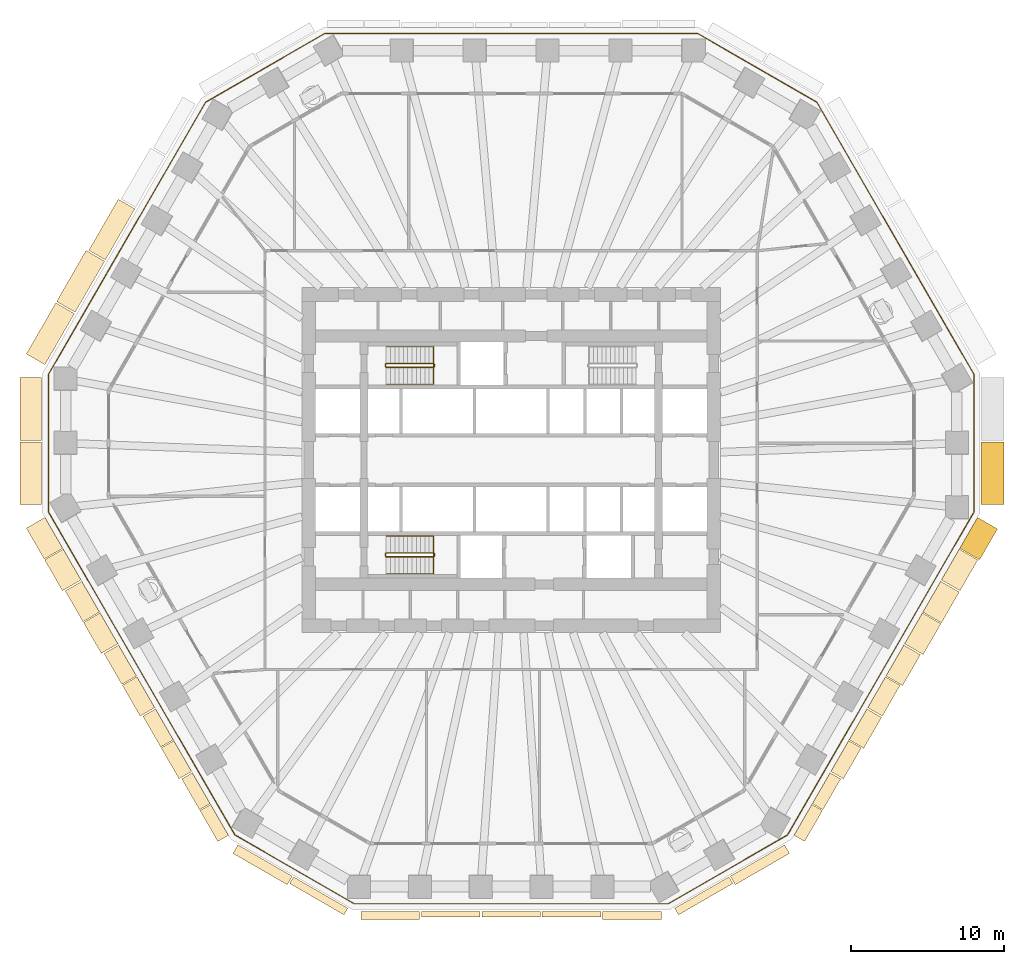
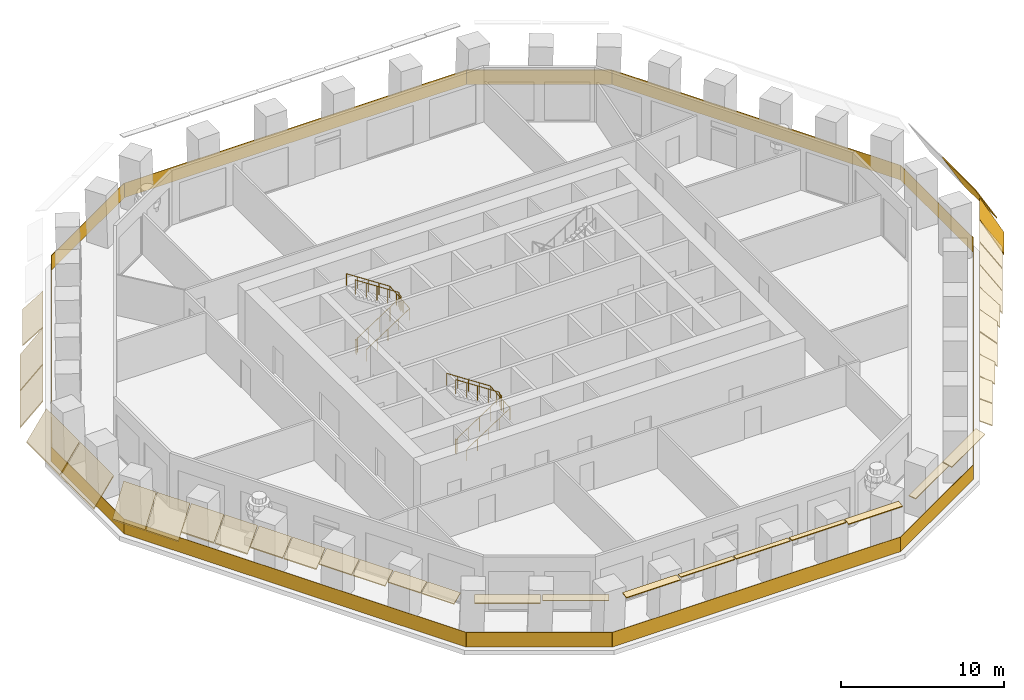
# One storey, part 9 of 12: 35 coverings, 5 railings.
"""IFC4 building model written with IfcOpenShell, lengths in metres."""

from ifc_helpers import new_model, si_unit, direction, frame, origin, origin_2d, place, context, subcontext, project, spatial, polyline, rectangle, circle, outline, extrude, material, layer, layer_set, type_object, element, save


model = new_model("IFC4")

# Units and contexts
model_context = context("Model", 3, precision=1e-05, world=origin(), true_north=direction((0.0, 1.0)))
body_context = subcontext(model_context, "Body", "Model", "MODEL_VIEW")
ifc_project = project(units=[si_unit("LENGTHUNIT", "METRE"), si_unit("AREAUNIT", "SQUARE_METRE"), si_unit("VOLUMEUNIT", "CUBIC_METRE"), si_unit("PLANEANGLEUNIT", "RADIAN"), si_unit("MASSUNIT", "GRAM", prefix="KILO")], contexts=[model_context])

# Site, building, storey
site_placement = place(None, origin())
site = spatial("IfcSite", under=ifc_project, at=site_placement, CompositionType="ELEMENT")
building_placement = place(site_placement, origin())
building = spatial("IfcBuilding", under=site, at=building_placement, Name="Frailejon Research Tower", CompositionType="ELEMENT")
storey_placement = place(building_placement, frame((0.0, 0.0, 49.800048828125)))
storey = spatial("IfcBuildingStorey", under=building, at=storey_placement, Name="L11", CompositionType="ELEMENT", Elevation=49.800048828125)

# Coverings
ifc_material_1 = material(Name="Precast concrete C50/60", Category="concrete")
ifc_layer_1 = layer(ifc_material_1, 0.06005859375)
ifc_layer_set_1 = layer_set([ifc_layer_1], Name="Brim blade depth 1100")
covering_type_1 = type_object("IfcCoveringType", Name="Brim blade depth 1100", PredefinedType="CLADDING", material=ifc_layer_set_1)
for number, where, z_axis, x_axis, name in (
    (1, (-24.43701171875, -14.073974609375, 4.25), (-0.500000983108, 0.866024836186, 0.0), (-0.866024836186, -0.500000983108, 0.0), "Brim blade L11"),
    (2, (-23.2451171875, -16.13818359375, 4.25), (-0.500000983108, 0.866024836186, 0.0), (-0.866024836186, -0.500000983108, 0.0), "Brim blade L11"),
    (3, (23.1953125, -16.224609375, 4.25), (-0.500009991174, -0.866019635301, 0.0), (0.866019635301, -0.500009991174, 0.0), "Brim blade L11"),
    (4, (24.406982421875, -14.1259765625, 4.25), (-0.500000983108, -0.866024836186, 0.0), (0.866024836186, -0.500000983108, 0.0), "Brim blade L11"),
):
    element("IfcCovering", number, at=place(storey_placement, frame(where, z_axis=z_axis, x_axis=x_axis)), inside=storey, type_object=covering_type_1, Name=name, PredefinedType="CLADDING", context=body_context, shape_type="SweptSolid", body=[
        extrude(outline(polyline([(0.0, -0.078369140625), (1.10009765625, -1.001220703125), (1.10009765625, -0.923095703125), (0.0, 0.0), (0.0, -0.078369140625)])), origin(), (0.0, 0.0, 1.0), 2.323486328125),
    ])
ifc_material_2 = material(Name="Precast concrete C50/60", Category="concrete")
ifc_layer_2 = layer(ifc_material_2, 0.06005859375)
ifc_layer_set_2 = layer_set([ifc_layer_2], Name="Brim blade depth 1250")
covering_type_2 = type_object("IfcCoveringType", Name="Brim blade depth 1250", PredefinedType="CLADDING", material=ifc_layer_set_2)
covering_1_placement = place(storey_placement, frame((-26.460693359375, 13.0576171875, 4.25), z_axis=(0.500002613071, 0.866023895122, 0.0), x_axis=(-0.866023895122, 0.500002613071, 0.0)))
element("IfcCovering", 5, at=covering_1_placement, inside=storey, type_object=covering_type_2, Name="Brim blade L11", PredefinedType="CLADDING", context=body_context, shape_type="SweptSolid", body=[
    extrude(outline(polyline([(0.0, -0.0888671875), (1.25, -1.452880859375), (1.25, -1.364013671875), (0.0, 0.0), (0.0, -0.0888671875)])), origin(), (0.0, 0.0, 1.0), 3.844482421875),
])
for number, where, z_axis, x_axis, name in (
    (6, (-26.84033203125, -9.911376953125, 4.25), (-0.499994387935, 0.866028643887, 0.0), (-0.866028643887, -0.499994387935, 0.0), "Brim blade L11"),
    (7, (-25.648681640625, -11.975341796875, 4.25), (-0.499994387935, 0.866028643887, 0.0), (-0.866028643887, -0.499994387935, 0.0), "Brim blade L11"),
):
    element("IfcCovering", number, at=place(storey_placement, frame(where, z_axis=z_axis, x_axis=x_axis)), inside=storey, type_object=covering_type_2, Name=name, PredefinedType="CLADDING", context=body_context, shape_type="SweptSolid", body=[
        extrude(outline(polyline([(0.0, -0.0888671875), (1.25, -1.452880859375), (1.25, -1.364013671875), (0.0, 0.0), (0.0, -0.0888671875)])), origin(), (0.0, 0.0, 1.0), 2.3232421875),
    ])
covering_2_placement = place(storey_placement, frame((25.5986328125, -12.06201171875, 4.25), z_axis=(-0.500000983108, -0.866024836186, 0.0), x_axis=(0.866024836186, -0.500000983108, 0.0)))
element("IfcCovering", 8, at=covering_2_placement, inside=storey, type_object=covering_type_2, Name="Brim blade L11", PredefinedType="CLADDING", context=body_context, shape_type="SweptSolid", body=[
    extrude(outline(polyline([(0.0, -0.0888671875), (1.25, -1.452880859375), (1.25, -1.364013671875), (0.0, 0.0), (0.0, -0.0888671875)])), origin(), (0.0, 0.0, 1.0), 2.323486328125),
])
ifc_material_3 = material(Name="Precast concrete C50/60", Category="concrete")
ifc_layer_3 = layer(ifc_material_3, 0.06005859375)
ifc_layer_set_3 = layer_set([ifc_layer_3], Name="Brim blade depth 1400")
covering_type_3 = type_object("IfcCoveringType", Name="Brim blade depth 1400", PredefinedType="CLADDING", material=ifc_layer_set_3)
for number, where, z_axis, x_axis, name in (
    (9, (-28.43310546875, 9.641357421875, 4.25), (0.499983600053, 0.866034872091, 0.0), (-0.866034872091, 0.499983600053, 0.0), "Brim blade L11"),
    (10, (-30.4052734375, 6.225341796875, 4.25), (0.500002613071, 0.866023895122, 0.0), (-0.866023895122, 0.500002613071, 0.0), "Brim blade L11"),
):
    element("IfcCovering", number, at=place(storey_placement, frame(where, z_axis=z_axis, x_axis=x_axis)), inside=storey, type_object=covering_type_3, Name=name, PredefinedType="CLADDING", context=body_context, shape_type="SweptSolid", body=[
        extrude(outline(polyline([(0.0, -0.1044921875), (1.39990234375, -2.10400390625), (1.39990234375, -1.99951171875), (0.0, 0.0), (0.0, -0.1044921875)])), origin(), (0.0, 0.0, 1.0), 3.844482421875),
    ])
covering_3_placement = place(storey_placement, frame((-30.63134765625, 1.29443359375, 4.25), z_axis=(0.0, 1.0, 0.0), x_axis=(-1.0, 0.0, 0.0)))
element("IfcCovering", 11, at=covering_3_placement, inside=storey, type_object=covering_type_3, Name="Brim blade L11", PredefinedType="CLADDING", context=body_context, shape_type="SweptSolid", body=[
    extrude(outline(polyline([(0.0, -0.1044921875), (1.39990234375, -2.10400390625), (1.39990234375, -1.99951171875), (0.0, 0.0), (0.0, -0.1044921875)])), origin(), (0.0, 0.0, 1.0), 4.08740234375),
])
covering_4_placement = place(storey_placement, frame((-30.63134765625, -2.89306640625, 4.25), z_axis=(0.0, 1.0, 0.0), x_axis=(-1.0, 0.0, 0.0)))
element("IfcCovering", 12, at=covering_4_placement, inside=storey, type_object=covering_type_3, Name="Brim blade L11", PredefinedType="CLADDING", context=body_context, shape_type="SweptSolid", body=[
    extrude(outline(polyline([(0.0, -0.1044921875), (1.39990234375, -2.10400390625), (1.39990234375, -1.99951171875), (0.0, 0.0), (0.0, -0.1044921875)])), origin(), (0.0, 0.0, 1.0), 4.087646484375),
])
for number, where, z_axis, x_axis, name in (
    (13, (-29.24365234375, -5.74853515625, 4.25), (-0.500000983108, 0.866024836186, 0.0), (-0.866024836186, -0.500000983108, 0.0), "Brim blade L11"),
    (14, (-28.052001953125, -7.8125, 4.25), (-0.500000983108, 0.866024836186, 0.0), (-0.866024836186, -0.500000983108, 0.0), "Brim blade L11"),
):
    element("IfcCovering", number, at=place(storey_placement, frame(where, z_axis=z_axis, x_axis=x_axis)), inside=storey, type_object=covering_type_3, Name=name, PredefinedType="CLADDING", context=body_context, shape_type="SweptSolid", body=[
        extrude(outline(polyline([(0.0, -0.1044921875), (1.39990234375, -2.10400390625), (1.39990234375, -1.99951171875), (0.0, 0.0), (0.0, -0.1044921875)])), origin(), (0.0, 0.0, 1.0), 2.323486328125),
    ])
for number, where, z_axis, x_axis, name in (
    (15, (26.810302734375, -9.963134765625, 4.25), (-0.499994387935, -0.866028643887, 0.0), (0.866028643887, -0.499994387935, 0.0), "Brim blade L11"),
    (16, (28.001953125, -7.899169921875, 4.25), (-0.499994387935, -0.866028643887, 0.0), (0.866028643887, -0.499994387935, 0.0), "Brim blade L11"),
):
    element("IfcCovering", number, at=place(storey_placement, frame(where, z_axis=z_axis, x_axis=x_axis)), inside=storey, type_object=covering_type_3, Name=name, PredefinedType="CLADDING", context=body_context, shape_type="SweptSolid", body=[
        extrude(outline(polyline([(0.0, -0.1044921875), (1.39990234375, -2.10400390625), (1.39990234375, -1.99951171875), (0.0, 0.0), (0.0, -0.1044921875)])), origin(), (0.0, 0.0, 1.0), 2.3232421875),
    ])
covering_5_placement = place(storey_placement, frame((29.213623046875, -5.800537109375, 4.25), z_axis=(-0.500000983108, -0.866024836186, 0.0), x_axis=(0.866024836186, -0.500000983108, 0.0)))
element("IfcCovering", 17, at=covering_5_placement, inside=storey, type_object=covering_type_3, Name="Brim blade L11", PredefinedType="CLADDING", context=body_context, shape_type="SweptSolid", body=[
    extrude(outline(polyline([(0.0, -0.1044921875), (1.39990234375, -2.10400390625), (1.39990234375, -1.99951171875), (0.0, 0.0), (0.0, -0.1044921875)])), origin(), (0.0, 0.0, 1.0), 2.323486328125),
])
ifc_material_4 = material(Name="Precast concrete C50/60", Category="concrete")
ifc_layer_4 = layer(ifc_material_4, 0.06005859375)
ifc_layer_set_4 = layer_set([ifc_layer_4], Name="Brim blade depth 1500")
covering_type_4 = type_object("IfcCoveringType", Name="Brim blade depth 1500", PredefinedType="CLADDING", material=ifc_layer_set_4)
covering_6_placement = place(storey_placement, frame((30.63134765625, 1.194580078125, 4.25), z_axis=(0.0, -1.0, 0.0), x_axis=(1.0, 0.0, 0.0)))
element("IfcCovering", 18, at=covering_6_placement, inside=storey, type_object=covering_type_4, Name="Brim blade L11", PredefinedType="CLADDING", context=body_context, shape_type="SweptSolid", body=[
    extrude(outline(polyline([(0.0, -0.1201171875), (1.5, -2.718017578125), (1.5, -2.59814453125), (0.0, 0.0), (0.0, -0.1201171875)])), origin(), (0.0, 0.0, 1.0), 4.087646484375),
])
covering_7_placement = place(storey_placement, frame((30.4052734375, -3.736328125, 4.25), z_axis=(-0.500000983108, -0.866024836186, 0.0), x_axis=(0.866024836186, -0.500000983108, 0.0)))
element("IfcCovering", 19, at=covering_7_placement, inside=storey, type_object=covering_type_4, Name="Brim blade L11", PredefinedType="CLADDING", context=body_context, shape_type="SweptSolid", body=[
    extrude(outline(polyline([(0.0, -0.1201171875), (1.5, -2.718017578125), (1.5, -2.59814453125), (0.0, 0.0), (0.0, -0.1201171875)])), origin(), (0.0, 0.0, 1.0), 2.323486328125),
])
ifc_material_5 = material(Name="Precast concrete C50/60", Category="concrete")
ifc_layer_5 = layer(ifc_material_5, 0.06005859375)
ifc_layer_set_5 = layer_set([ifc_layer_5], Name="Brim blade depth 350")
covering_type_5 = type_object("IfcCoveringType", Name="Brim blade depth 350", PredefinedType="CLADDING", material=ifc_layer_set_5)
for number, where, z_axis, x_axis, name in (
    (20, (-2.022216796875, -29.444580078125, 4.25), (-1.0, 0.0, 0.0), (0.0, -1.0, 0.0), "Brim blade L11"),
    (21, (1.92236328125, -29.444580078125, 4.25), (-1.0, 0.0, 0.0), (0.0, -1.0, 0.0), "Brim blade L11"),
    (22, (5.86669921875, -29.444580078125, 4.25), (-1.0, 0.0, 0.0), (0.0, -1.0, 0.0), "Brim blade L11"),
):
    element("IfcCovering", number, at=place(storey_placement, frame(where, z_axis=z_axis, x_axis=x_axis)), inside=storey, type_object=covering_type_5, Name=name, PredefinedType="CLADDING", context=body_context, shape_type="SweptSolid", body=[
        extrude(outline(polyline([(0.0, -0.06005859375), (0.35009765625, -0.06005859375), (0.35009765625, 0.0), (0.0, 0.0), (0.0, -0.06005859375)])), origin(), (0.0, 0.0, 1.0), 3.844482421875),
    ])
ifc_material_6 = material(Name="Precast concrete C50/60", Category="concrete")
ifc_layer_6 = layer(ifc_material_6, 0.06005859375)
ifc_layer_set_6 = layer_set([ifc_layer_6], Name="Brim blade depth 500")
covering_type_6 = type_object("IfcCoveringType", Name="Brim blade depth 500", PredefinedType="CLADDING", material=ifc_layer_set_6)
covering_8_placement = place(storey_placement, frame((-10.65478515625, -29.218505859375, 4.25), z_axis=(-0.866021344981, 0.500007029989, 0.0), x_axis=(-0.500007029989, -0.866021344981, 0.0)))
element("IfcCovering", 23, at=covering_8_placement, inside=storey, type_object=covering_type_6, Name="Brim blade L11", PredefinedType="CLADDING", context=body_context, shape_type="SweptSolid", body=[
    extrude(outline(polyline([(0.0, -0.060546875), (0.5, -0.130859375), (0.5, -0.0703125), (0.0, 0.0), (0.0, -0.060546875)])), origin(), (0.0, 0.0, 1.0), 4.08740234375),
])
for number, where, z_axis, x_axis, name in (
    (24, (-5.966796875, -29.444580078125, 4.25), (-1.0, 0.0, 0.0), (0.0, -1.0, 0.0), "Brim blade L11"),
    (25, (9.811279296875, -29.444580078125, 4.25), (-1.0, 0.0, 0.0), (0.0, -1.0, 0.0), "Brim blade L11"),
):
    element("IfcCovering", number, at=place(storey_placement, frame(where, z_axis=z_axis, x_axis=x_axis)), inside=storey, type_object=covering_type_6, Name=name, PredefinedType="CLADDING", context=body_context, shape_type="SweptSolid", body=[
        extrude(outline(polyline([(0.0, -0.060546875), (0.5, -0.130859375), (0.5, -0.0703125), (0.0, 0.0), (0.0, -0.060546875)])), origin(), (0.0, 0.0, 1.0), 3.844482421875),
    ])
covering_9_placement = place(storey_placement, frame((14.194580078125, -27.1748046875, 4.25), z_axis=(-0.866021344981, -0.500007029989, 0.0), x_axis=(0.500007029989, -0.866021344981, 0.0)))
element("IfcCovering", 26, at=covering_9_placement, inside=storey, type_object=covering_type_6, Name="Brim blade L11", PredefinedType="CLADDING", context=body_context, shape_type="SweptSolid", body=[
    extrude(outline(polyline([(0.0, -0.060546875), (0.5, -0.130859375), (0.5, -0.0703125), (0.0, 0.0), (0.0, -0.060546875)])), origin(), (0.0, 0.0, 1.0), 4.08740234375),
])
ifc_material_7 = material(Name="Precast concrete C50/60", Category="concrete")
ifc_layer_7 = layer(ifc_material_7, 0.06005859375)
ifc_layer_set_7 = layer_set([ifc_layer_7], Name="Brim blade depth 650")
covering_type_7 = type_object("IfcCoveringType", Name="Brim blade depth 650", PredefinedType="CLADDING", material=ifc_layer_set_7)
for number, where, z_axis, x_axis, name in (
    (27, (-14.28125, -27.124755859375, 4.25), (-0.866021344981, 0.500007029989, 0.0), (-0.500007029989, -0.866021344981, 0.0), "Brim blade L11"),
    (28, (17.821044921875, -25.080810546875, 4.25), (-0.866021344981, -0.500007029989, 0.0), (0.500007029989, -0.866021344981, 0.0), "Brim blade L11"),
):
    element("IfcCovering", number, at=place(storey_placement, frame(where, z_axis=z_axis, x_axis=x_axis)), inside=storey, type_object=covering_type_7, Name=name, PredefinedType="CLADDING", context=body_context, shape_type="SweptSolid", body=[
        extrude(outline(polyline([(0.0, -0.0625), (0.64990234375, -0.248779296875), (0.64990234375, -0.186279296875), (0.0, 0.0), (0.0, -0.0625)])), origin(), (0.0, 0.0, 1.0), 4.08740234375),
    ])
ifc_material_8 = material(Name="Precast concrete C50/60", Category="concrete")
ifc_layer_8 = layer(ifc_material_8, 0.06005859375)
ifc_layer_set_8 = layer_set([ifc_layer_8], Name="Brim blade depth 800")
covering_type_8 = type_object("IfcCoveringType", Name="Brim blade depth 800", PredefinedType="CLADDING", material=ifc_layer_set_8)
for number, where, z_axis, x_axis, name in (
    (29, (-19.630126953125, -22.3994140625, 4.25), (-0.500000983108, 0.866024836186, 0.0), (-0.866024836186, -0.500000983108, 0.0), "Brim blade L11"),
    (30, (-18.4384765625, -24.463623046875, 4.25), (-0.500000983108, 0.866024836186, 0.0), (-0.866024836186, -0.500000983108, 0.0), "Brim blade L11"),
    (31, (19.60009765625, -22.451416015625, 4.25), (-0.500000983108, -0.866024836186, 0.0), (0.866024836186, -0.500000983108, 0.0), "Brim blade L11"),
    (32, (20.791748046875, -20.387451171875, 4.25), (-0.500000983108, -0.866024836186, 0.0), (0.866024836186, -0.500000983108, 0.0), "Brim blade L11"),
):
    element("IfcCovering", number, at=place(storey_placement, frame(where, z_axis=z_axis, x_axis=x_axis)), inside=storey, type_object=covering_type_8, Name=name, PredefinedType="CLADDING", context=body_context, shape_type="SweptSolid", body=[
        extrude(outline(polyline([(0.0, -0.065673828125), (0.800048828125, -0.421875), (0.800048828125, -0.356201171875), (0.0, 0.0), (0.0, -0.065673828125)])), origin(), (0.0, 0.0, 1.0), 2.323486328125),
    ])
ifc_material_9 = material(Name="Precast concrete C50/60", Category="concrete")
ifc_layer_9 = layer(ifc_material_9, 0.06005859375)
ifc_layer_set_9 = layer_set([ifc_layer_9], Name="Brim blade depth 950")
covering_type_9 = type_object("IfcCoveringType", Name="Brim blade depth 950", PredefinedType="CLADDING", material=ifc_layer_set_9)
for number, where, z_axis, x_axis, name in (
    (33, (-22.033447265625, -18.23681640625, 4.25), (-0.500009991174, 0.866019635301, 0.0), (-0.866019635301, -0.500009991174, 0.0), "Brim blade L11"),
    (34, (-20.841796875, -20.30078125, 4.25), (-0.500009991174, 0.866019635301, 0.0), (-0.866019635301, -0.500009991174, 0.0), "Brim blade L11"),
    (35, (22.00341796875, -18.288818359375, 4.25), (-0.500009991174, -0.866019635301, 0.0), (0.866019635301, -0.500009991174, 0.0), "Brim blade L11"),
):
    element("IfcCovering", number, at=place(storey_placement, frame(where, z_axis=z_axis, x_axis=x_axis)), inside=storey, type_object=covering_type_9, Name=name, PredefinedType="CLADDING", context=body_context, shape_type="SweptSolid", body=[
        extrude(outline(polyline([(0.0, -0.07080078125), (0.949951171875, -0.664306640625), (0.949951171875, -0.593505859375), (0.0, 0.0), (0.0, -0.07080078125)])), origin(), (0.0, 0.0, 1.0), 2.323486328125),
    ])

# Railings
ifc_material_10 = material(Name="Laminated glass balustrade", Category="glass")
railing_type_1 = type_object("IfcRailingType", Name="Glass guard 1100", PredefinedType="GUARDRAIL", material=ifc_material_10)
railing_1_placement = place(storey_placement, frame((30.17236328125, -3.381591796875, 0.0)))
element("IfcRailing", 36, at=railing_1_placement, inside=storey, type_object=railing_type_1, Name="Loggia guard L11", PredefinedType="GUARDRAIL", context=body_context, shape_type="SweptSolid", body=[
    extrude(rectangle(XDim=8.9755859375, YDim=0.030029296875, at=origin_2d()), frame((0.0, 4.48779296875, 0.0), z_axis=(0.0, 0.0, 1.0), x_axis=(0.0, 1.0, 0.0)), (0.0, 0.0, 1.0), 1.10009765625),
    extrude(rectangle(XDim=20.483154296875, YDim=0.030029296875, at=origin_2d()), frame((-5.12060546875, 17.84521484375, 0.0), z_axis=(0.0, 0.0, 1.0), x_axis=(-0.499993803173, 0.866028981495, 0.0)), (0.0, 0.0, 1.0), 1.10009765625),
    extrude(rectangle(XDim=8.975830078125, YDim=0.030029296875, at=origin_2d()), frame((-14.128173828125, 28.95849609375, 0.0), z_axis=(0.0, 0.0, 1.0), x_axis=(-0.866035209449, 0.499983015706, 0.0)), (0.0, 0.0, 1.0), 1.10009765625),
    extrude(rectangle(XDim=24.31494140625, YDim=0.030029296875, at=origin_2d()), frame((-30.17236328125, 31.202392578125, 0.0), z_axis=(0.0, 0.0, 1.0), x_axis=(-1.0, 0.0, 0.0)), (0.0, 0.0, 1.0), 1.10009765625),
    extrude(rectangle(XDim=8.975830078125, YDim=0.030029296875, at=origin_2d()), frame((-46.216552734375, 28.95849609375, 0.0), z_axis=(0.0, 0.0, 1.0), x_axis=(-0.866035209449, -0.499983015706, 0.0)), (0.0, 0.0, 1.0), 1.10009765625),
    extrude(rectangle(XDim=20.483154296875, YDim=0.030029296875, at=origin_2d()), frame((-55.22412109375, 17.84521484375, 0.0), z_axis=(0.0, 0.0, 1.0), x_axis=(-0.499993803173, -0.866028981495, 0.0)), (0.0, 0.0, 1.0), 1.10009765625),
    extrude(rectangle(XDim=8.9755859375, YDim=0.030029296875, at=origin_2d()), frame((-60.3447265625, 4.48779296875, 0.0), z_axis=(0.0, 0.0, 1.0), x_axis=(0.0, -1.0, 0.0)), (0.0, 0.0, 1.0), 1.10009765625),
    extrude(rectangle(XDim=24.315185546875, YDim=0.030029296875, at=origin_2d()), frame((-54.26611328125, -10.52880859375, 0.0), z_axis=(0.0, 0.0, 1.0), x_axis=(0.499995365584, -0.866028079449, 0.0)), (0.0, 0.0, 1.0), 1.10009765625),
    extrude(rectangle(XDim=8.975830078125, YDim=0.030029296875, at=origin_2d()), frame((-44.300537109375, -23.301513671875, 0.0), z_axis=(0.0, 0.0, 1.0), x_axis=(0.866035209449, -0.499983015706, 0.0)), (0.0, 0.0, 1.0), 1.10009765625),
    extrude(rectangle(XDim=20.48291015625, YDim=0.030029296875, at=origin_2d()), frame((-30.17236328125, -25.54541015625, 0.0), z_axis=(0.0, 0.0, 1.0), x_axis=(1.0, 0.0, 0.0)), (0.0, 0.0, 1.0), 1.10009765625),
    extrude(rectangle(XDim=8.975830078125, YDim=0.030029296875, at=origin_2d()), frame((-16.044189453125, -23.301513671875, 0.0), z_axis=(0.0, 0.0, 1.0), x_axis=(0.866035209449, 0.499983015706, 0.0)), (0.0, 0.0, 1.0), 1.10009765625),
    extrude(rectangle(XDim=24.244873046875, YDim=0.030029296875, at=origin_2d()), frame((-6.09619140625, -10.55908203125, 0.0), z_axis=(0.0, 0.0, 1.0), x_axis=(0.499993541237, 0.866029132721, 0.0)), (0.0, 0.0, 1.0), 1.10009765625),
])
ifc_material_11 = material(Name="Stainless steel", Category="steel")
railing_type_2 = type_object("IfcRailingType", Name="Stair guard 1100", PredefinedType="GUARDRAIL", material=ifc_material_11)
railing_2_placement = place(storey_placement, frame((-8.199951171875, 6.25, 0.0)))
element("IfcRailing", 37, at=railing_2_placement, inside=storey, type_object=railing_type_2, Name="L11 ST1 stair guard 1", PredefinedType="GUARDRAIL", context=body_context, shape_type="SweptSolid", body=[
    extrude(circle(Radius=0.02392578125, at=origin_2d()), frame((0.0, 0.0, 1.076171875), z_axis=(0.0, -1.0, 0.0), x_axis=(1.0, 0.0, 0.0)), (0.0, 0.0, 1.0), 0.14990234375),
    extrude(circle(Radius=0.02392578125, at=origin_2d()), frame((0.0, -0.14990234375, 1.076171875), z_axis=(0.254653276557, -0.254653276557, 0.932900539971), x_axis=(0.707106781187, 0.707106781187, 0.0)), (0.0, 0.0, 1.0), 0.196533203125),
    extrude(circle(Radius=0.02392578125, at=origin_2d()), frame((0.050048828125, -0.199951171875, 1.25927734375), z_axis=(0.836613101238, 0.0, 0.547794230379), x_axis=(0.0, 1.0, 0.0)), (0.0, 0.0, 1.0), 3.681396484375),
    extrude(circle(Radius=0.02392578125, at=origin_2d()), frame((3.1298828125, -0.199951171875, 3.27587890625), z_axis=(0.707106781187, 0.707106781187, 0.0), x_axis=(-0.707106781187, 0.707106781187, 0.0)), (0.0, 0.0, 1.0), 0.07080078125),
    extrude(circle(Radius=0.02392578125, at=origin_2d()), frame((3.179931640625, -0.14990234375, 3.27587890625), z_axis=(0.0, 1.0, 0.0), x_axis=(-1.0, 0.0, 0.0)), (0.0, 0.0, 1.0), 0.14990234375),
    extrude(circle(Radius=0.02392578125, at=origin_2d()), frame((3.179931640625, 0.0, 3.27587890625), z_axis=(-0.254653276557, 0.254653276557, 0.932900539971), x_axis=(-0.707106781187, -0.707106781187, 0.0)), (0.0, 0.0, 1.0), 0.196533203125),
    extrude(circle(Radius=0.02392578125, at=origin_2d()), frame((3.1298828125, 0.050048828125, 3.45947265625), z_axis=(-0.836613101238, 0.0, 0.547794230379), x_axis=(0.0, -1.0, 0.0)), (0.0, 0.0, 1.0), 3.681396484375),
    extrude(circle(Radius=0.02099609375, at=origin_2d()), origin(), (0.0, 0.0, 1.0), 1.052001953125),
    extrude(circle(Radius=0.02099609375, at=origin_2d()), frame((0.0, -0.14990234375, 0.0)), (0.0, 0.0, 1.0), 1.052001953125),
    extrude(circle(Radius=0.02099609375, at=origin_2d()), frame((0.050048828125, -0.199951171875, 0.183349609375)), (0.0, 0.0, 1.0), 1.052001953125),
    extrude(circle(Radius=0.02099609375, at=origin_2d()), frame((0.820068359375, -0.199951171875, 0.6875)), (0.0, 0.0, 1.0), 1.052001953125),
    extrude(circle(Radius=0.02099609375, at=origin_2d()), frame((1.58984375, -0.199951171875, 1.191650390625)), (0.0, 0.0, 1.0), 1.052001953125),
    extrude(circle(Radius=0.02099609375, at=origin_2d()), frame((2.35986328125, -0.199951171875, 1.69580078125)), (0.0, 0.0, 1.0), 1.052001953125),
    extrude(circle(Radius=0.02099609375, at=origin_2d()), frame((3.1298828125, -0.199951171875, 2.199951171875)), (0.0, 0.0, 1.0), 1.052001953125),
    extrude(circle(Radius=0.02099609375, at=origin_2d()), frame((3.179931640625, -0.14990234375, 2.199951171875)), (0.0, 0.0, 1.0), 1.052001953125),
    extrude(circle(Radius=0.02099609375, at=origin_2d()), frame((3.179931640625, 0.0, 2.199951171875)), (0.0, 0.0, 1.0), 1.052001953125),
    extrude(circle(Radius=0.02099609375, at=origin_2d()), frame((3.1298828125, 0.050048828125, 2.38330078125)), (0.0, 0.0, 1.0), 1.052001953125),
    extrude(circle(Radius=0.02099609375, at=origin_2d()), frame((2.35986328125, 0.050048828125, 2.887451171875)), (0.0, 0.0, 1.0), 1.052001953125),
    extrude(circle(Radius=0.02099609375, at=origin_2d()), frame((1.58984375, 0.050048828125, 3.3916015625)), (0.0, 0.0, 1.0), 1.052001953125),
    extrude(circle(Radius=0.02099609375, at=origin_2d()), frame((0.820068359375, 0.050048828125, 3.895751953125)), (0.0, 0.0, 1.0), 1.052001953125),
    extrude(circle(Radius=0.02099609375, at=origin_2d()), frame((0.050048828125, 0.050048828125, 4.39990234375)), (0.0, 0.0, 1.0), 1.052001953125),
])
railing_3_placement = place(storey_placement, frame((-8.199951171875, -6.10009765625, 0.0)))
element("IfcRailing", 38, at=railing_3_placement, inside=storey, type_object=railing_type_2, Name="L11 ST2 stair guard 1", PredefinedType="GUARDRAIL", context=body_context, shape_type="SweptSolid", body=[
    extrude(circle(Radius=0.02392578125, at=origin_2d()), frame((0.0, 0.0, 1.076171875), z_axis=(0.0, -1.0, 0.0), x_axis=(1.0, 0.0, 0.0)), (0.0, 0.0, 1.0), 0.14990234375),
    extrude(circle(Radius=0.02392578125, at=origin_2d()), frame((0.0, -0.14990234375, 1.076171875), z_axis=(0.254653276557, -0.254653276557, 0.932900539971), x_axis=(0.707106781187, 0.707106781187, 0.0)), (0.0, 0.0, 1.0), 0.196533203125),
    extrude(circle(Radius=0.02392578125, at=origin_2d()), frame((0.050048828125, -0.199951171875, 1.25927734375), z_axis=(0.836613101238, 0.0, 0.547794230379), x_axis=(0.0, 1.0, 0.0)), (0.0, 0.0, 1.0), 3.681396484375),
    extrude(circle(Radius=0.02392578125, at=origin_2d()), frame((3.1298828125, -0.199951171875, 3.27587890625), z_axis=(0.707106781187, 0.707106781187, 0.0), x_axis=(-0.707106781187, 0.707106781187, 0.0)), (0.0, 0.0, 1.0), 0.07080078125),
    extrude(circle(Radius=0.02392578125, at=origin_2d()), frame((3.179931640625, -0.14990234375, 3.27587890625), z_axis=(0.0, 1.0, 0.0), x_axis=(-1.0, 0.0, 0.0)), (0.0, 0.0, 1.0), 0.14990234375),
    extrude(circle(Radius=0.02392578125, at=origin_2d()), frame((3.179931640625, 0.0, 3.27587890625), z_axis=(-0.254653276557, 0.254653276557, 0.932900539971), x_axis=(-0.707106781187, -0.707106781187, 0.0)), (0.0, 0.0, 1.0), 0.196533203125),
    extrude(circle(Radius=0.02392578125, at=origin_2d()), frame((3.1298828125, 0.050048828125, 3.45947265625), z_axis=(-0.836613101238, 0.0, 0.547794230379), x_axis=(0.0, -1.0, 0.0)), (0.0, 0.0, 1.0), 3.681396484375),
    extrude(circle(Radius=0.02099609375, at=origin_2d()), origin(), (0.0, 0.0, 1.0), 1.052001953125),
    extrude(circle(Radius=0.02099609375, at=origin_2d()), frame((0.0, -0.14990234375, 0.0)), (0.0, 0.0, 1.0), 1.052001953125),
    extrude(circle(Radius=0.02099609375, at=origin_2d()), frame((0.050048828125, -0.199951171875, 0.183349609375)), (0.0, 0.0, 1.0), 1.052001953125),
    extrude(circle(Radius=0.02099609375, at=origin_2d()), frame((0.820068359375, -0.199951171875, 0.6875)), (0.0, 0.0, 1.0), 1.052001953125),
    extrude(circle(Radius=0.02099609375, at=origin_2d()), frame((1.58984375, -0.199951171875, 1.191650390625)), (0.0, 0.0, 1.0), 1.052001953125),
    extrude(circle(Radius=0.02099609375, at=origin_2d()), frame((2.35986328125, -0.199951171875, 1.69580078125)), (0.0, 0.0, 1.0), 1.052001953125),
    extrude(circle(Radius=0.02099609375, at=origin_2d()), frame((3.1298828125, -0.199951171875, 2.199951171875)), (0.0, 0.0, 1.0), 1.052001953125),
    extrude(circle(Radius=0.02099609375, at=origin_2d()), frame((3.179931640625, -0.14990234375, 2.199951171875)), (0.0, 0.0, 1.0), 1.052001953125),
    extrude(circle(Radius=0.02099609375, at=origin_2d()), frame((3.179931640625, 0.0, 2.199951171875)), (0.0, 0.0, 1.0), 1.052001953125),
    extrude(circle(Radius=0.02099609375, at=origin_2d()), frame((3.1298828125, 0.050048828125, 2.38330078125)), (0.0, 0.0, 1.0), 1.052001953125),
    extrude(circle(Radius=0.02099609375, at=origin_2d()), frame((2.35986328125, 0.050048828125, 2.887451171875)), (0.0, 0.0, 1.0), 1.052001953125),
    extrude(circle(Radius=0.02099609375, at=origin_2d()), frame((1.58984375, 0.050048828125, 3.3916015625)), (0.0, 0.0, 1.0), 1.052001953125),
    extrude(circle(Radius=0.02099609375, at=origin_2d()), frame((0.820068359375, 0.050048828125, 3.895751953125)), (0.0, 0.0, 1.0), 1.052001953125),
    extrude(circle(Radius=0.02099609375, at=origin_2d()), frame((0.050048828125, 0.050048828125, 4.39990234375)), (0.0, 0.0, 1.0), 1.052001953125),
])
ifc_material_12 = material(Name="Stainless steel", Category="steel")
railing_type_3 = type_object("IfcRailingType", Name="Stair handrail 900", PredefinedType="HANDRAIL", material=ifc_material_12)
railing_4_placement = place(storey_placement, frame((-8.14990234375, 4.949951171875, 0.183349609375)))
element("IfcRailing", 39, at=railing_4_placement, inside=storey, type_object=railing_type_3, Name="L11 ST1 stair handrail 1", PredefinedType="HANDRAIL", context=body_context, shape_type="SweptSolid", body=[
    extrude(circle(Radius=0.02392578125, at=origin_2d()), frame((0.0, 0.0, 0.8759765625), z_axis=(0.836613101238, 0.0, 0.547794230379), x_axis=(0.0, 1.0, 0.0)), (0.0, 0.0, 1.0), 3.681396484375),
    extrude(circle(Radius=0.02392578125, at=origin_2d()), frame((3.079833984375, 0.0, 2.892578125), z_axis=(0.0, 0.99721134034, 0.074629368868), x_axis=(-1.0, 0.0, 0.0)), (0.0, 0.0, 1.0), 2.456787109375),
    extrude(circle(Radius=0.02392578125, at=origin_2d()), frame((3.079833984375, 2.449951171875, 3.07568359375), z_axis=(-0.836613101238, 0.0, 0.547794230379), x_axis=(0.0, -1.0, 0.0)), (0.0, 0.0, 1.0), 3.681396484375),
    extrude(circle(Radius=0.02099609375, at=origin_2d()), origin(), (0.0, 0.0, 1.0), 0.851806640625),
    extrude(circle(Radius=0.02099609375, at=origin_2d()), frame((0.77001953125, 0.0, 0.504150390625)), (0.0, 0.0, 1.0), 0.851806640625),
    extrude(circle(Radius=0.02099609375, at=origin_2d()), frame((1.5400390625, 0.0, 1.00830078125)), (0.0, 0.0, 1.0), 0.851806640625),
    extrude(circle(Radius=0.02099609375, at=origin_2d()), frame((2.309814453125, 0.0, 1.512451171875)), (0.0, 0.0, 1.0), 0.851806640625),
    extrude(circle(Radius=0.02099609375, at=origin_2d()), frame((3.079833984375, 0.0, 2.0166015625)), (0.0, 0.0, 1.0), 0.851806640625),
    extrude(circle(Radius=0.02099609375, at=origin_2d()), frame((3.079833984375, 0.816650390625, 2.07763671875)), (0.0, 0.0, 1.0), 0.851806640625),
    extrude(circle(Radius=0.02099609375, at=origin_2d()), frame((3.079833984375, 1.63330078125, 2.138916015625)), (0.0, 0.0, 1.0), 0.851806640625),
    extrude(circle(Radius=0.02099609375, at=origin_2d()), frame((3.079833984375, 2.449951171875, 2.199951171875)), (0.0, 0.0, 1.0), 0.851806640625),
    extrude(circle(Radius=0.02099609375, at=origin_2d()), frame((2.309814453125, 2.449951171875, 2.7041015625)), (0.0, 0.0, 1.0), 0.851806640625),
    extrude(circle(Radius=0.02099609375, at=origin_2d()), frame((1.5400390625, 2.449951171875, 3.208251953125)), (0.0, 0.0, 1.0), 0.851806640625),
    extrude(circle(Radius=0.02099609375, at=origin_2d()), frame((0.77001953125, 2.449951171875, 3.71240234375)), (0.0, 0.0, 1.0), 0.851806640625),
    extrude(circle(Radius=0.02099609375, at=origin_2d()), frame((0.0, 2.449951171875, 4.216552734375)), (0.0, 0.0, 1.0), 0.851806640625),
])
railing_5_placement = place(storey_placement, frame((-8.14990234375, -7.39990234375, 0.183349609375)))
element("IfcRailing", 40, at=railing_5_placement, inside=storey, type_object=railing_type_3, Name="L11 ST2 stair handrail 1", PredefinedType="HANDRAIL", context=body_context, shape_type="SweptSolid", body=[
    extrude(circle(Radius=0.02392578125, at=origin_2d()), frame((0.0, 0.0, 0.8759765625), z_axis=(0.836613101238, 0.0, 0.547794230379), x_axis=(0.0, 1.0, 0.0)), (0.0, 0.0, 1.0), 3.681396484375),
    extrude(circle(Radius=0.02392578125, at=origin_2d()), frame((3.079833984375, 0.0, 2.892578125), z_axis=(0.0, 0.99721134034, 0.074629368868), x_axis=(-1.0, 0.0, 0.0)), (0.0, 0.0, 1.0), 2.456787109375),
    extrude(circle(Radius=0.02392578125, at=origin_2d()), frame((3.079833984375, 2.449951171875, 3.07568359375), z_axis=(-0.836613101238, 0.0, 0.547794230379), x_axis=(0.0, -1.0, 0.0)), (0.0, 0.0, 1.0), 3.681396484375),
    extrude(circle(Radius=0.02099609375, at=origin_2d()), origin(), (0.0, 0.0, 1.0), 0.851806640625),
    extrude(circle(Radius=0.02099609375, at=origin_2d()), frame((0.77001953125, 0.0, 0.504150390625)), (0.0, 0.0, 1.0), 0.851806640625),
    extrude(circle(Radius=0.02099609375, at=origin_2d()), frame((1.5400390625, 0.0, 1.00830078125)), (0.0, 0.0, 1.0), 0.851806640625),
    extrude(circle(Radius=0.02099609375, at=origin_2d()), frame((2.309814453125, 0.0, 1.512451171875)), (0.0, 0.0, 1.0), 0.851806640625),
    extrude(circle(Radius=0.02099609375, at=origin_2d()), frame((3.079833984375, 0.0, 2.0166015625)), (0.0, 0.0, 1.0), 0.851806640625),
    extrude(circle(Radius=0.02099609375, at=origin_2d()), frame((3.079833984375, 0.816650390625, 2.07763671875)), (0.0, 0.0, 1.0), 0.851806640625),
    extrude(circle(Radius=0.02099609375, at=origin_2d()), frame((3.079833984375, 1.63330078125, 2.138916015625)), (0.0, 0.0, 1.0), 0.851806640625),
    extrude(circle(Radius=0.02099609375, at=origin_2d()), frame((3.079833984375, 2.449951171875, 2.199951171875)), (0.0, 0.0, 1.0), 0.851806640625),
    extrude(circle(Radius=0.02099609375, at=origin_2d()), frame((2.309814453125, 2.449951171875, 2.7041015625)), (0.0, 0.0, 1.0), 0.851806640625),
    extrude(circle(Radius=0.02099609375, at=origin_2d()), frame((1.5400390625, 2.449951171875, 3.208251953125)), (0.0, 0.0, 1.0), 0.851806640625),
    extrude(circle(Radius=0.02099609375, at=origin_2d()), frame((0.77001953125, 2.449951171875, 3.71240234375)), (0.0, 0.0, 1.0), 0.851806640625),
    extrude(circle(Radius=0.02099609375, at=origin_2d()), frame((0.0, 2.449951171875, 4.216552734375)), (0.0, 0.0, 1.0), 0.851806640625),
])

save(model, "model.ifc")
